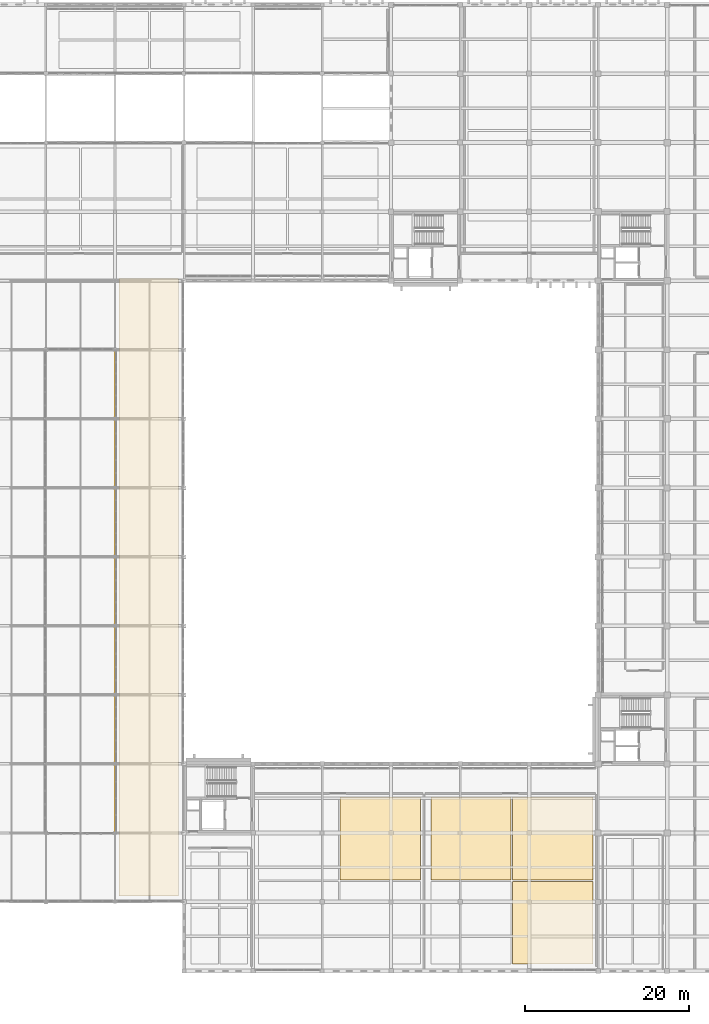
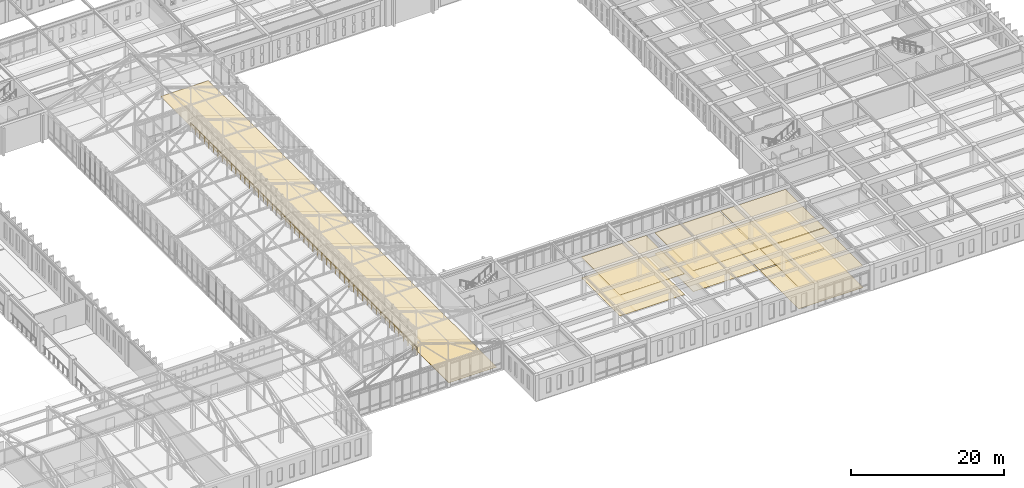
# One storey, part 184 of 192: 9 coverings, 1 railing.
"""IFC4 building model written with IfcOpenShell, lengths in metres."""

import ifcopenshell
import ifcopenshell.guid

model = None  # the IFC model being written
_history = None  # IfcOwnerHistory: only IFC2X3 demands one
_inside = {}  # id of a spatial element -> (the spatial element, [elements in it])
_under = {}  # id of a project, library or spatial element -> (it, [spatial elements below it])
_declared = {}  # id of a project -> (the project, [libraries it declares])
_typed = {}  # id of a type object -> (the type object, [elements of that type])
_made_of = {}  # id of a material, layer set ... -> (it, [elements and type objects made of it])


def new_model(schema):
    """Start an empty IFC model of exactly this schema.

    Asked for "IFC4X3", IfcOpenShell would pick the latest addendum, in which some entities
    have other attributes; the version numbers below select the first issue.
    IFC2X3 requires an IfcOwnerHistory on every rooted entity: one is made here for all.
    """
    global model, _history
    if schema == "IFC4X3":
        model = ifcopenshell.file(schema_version=(4, 3, 0, 0))
    else:
        model = ifcopenshell.file(schema=schema)
    _inside.clear()
    _under.clear()
    _declared.clear()
    _typed.clear()
    _made_of.clear()
    _history = None
    if model.schema == "IFC2X3":
        org = make("IfcOrganization", Name="unknown")
        user = make(
            "IfcPersonAndOrganization",
            ThePerson=make("IfcPerson", FamilyName="unknown"),
            TheOrganization=org,
        )
        app = make(
            "IfcApplication",
            ApplicationDeveloper=org,
            Version="unknown",
            ApplicationFullName="unknown",
            ApplicationIdentifier="unknown",
        )
        _history = make(
            "IfcOwnerHistory",
            OwningUser=user,
            OwningApplication=app,
            ChangeAction="ADDED",
            CreationDate=0,
        )
    return model


def make(cls, **values):
    """One entity of the class cls with the attributes given. An attribute that is None is left unset."""
    return model.create_entity(
        cls, **{name: value for name, value in values.items() if value is not None}
    )


def rooted(cls, **values):
    """An entity with a GlobalId (a new one), such as an element, a storey or a relation."""
    return make(cls, GlobalId=ifcopenshell.guid.new(), OwnerHistory=_history, **values)


def si_unit(unit_type, name, prefix=None):
    """IfcSIUnit, for example si_unit("LENGTHUNIT", "METRE", prefix="MILLI")."""
    return make("IfcSIUnit", UnitType=unit_type, Prefix=prefix, Name=name)


def assignment(units):
    """IfcUnitAssignment: the units of a project."""
    return None if units is None else make("IfcUnitAssignment", Units=units)


def point(xyz):
    """IfcCartesianPoint."""
    return None if xyz is None else make("IfcCartesianPoint", Coordinates=xyz)


def direction(xyz):
    """IfcDirection."""
    return None if xyz is None else make("IfcDirection", DirectionRatios=xyz)


def frame(location, z_axis=None, x_axis=None):
    """IfcAxis2Placement3D, a coordinate frame: its origin and axes. An axis left out is left unset."""
    return make(
        "IfcAxis2Placement3D",
        Location=point(location),
        Axis=direction(z_axis),
        RefDirection=direction(x_axis),
    )


def frame_2d(location, x_axis=None):
    """IfcAxis2Placement2D, a coordinate frame in the plane: its origin and x axis."""
    return make(
        "IfcAxis2Placement2D", Location=point(location), RefDirection=direction(x_axis)
    )


def origin():
    """The frame at (0, 0, 0) with its axes left unset."""
    return frame((0.0, 0.0, 0.0))


def origin_2d():
    """The frame at (0, 0) in the plane with its x axis left unset."""
    return frame_2d((0.0, 0.0))


def place(relative_to, where):
    """IfcLocalPlacement: puts the frame where relative to a parent placement (None: the world)."""
    return make(
        "IfcLocalPlacement", PlacementRelTo=relative_to, RelativePlacement=where
    )


def context(
    kind, dimensions, precision=None, world=None, true_north=None, identifier=None
):
    """IfcGeometricRepresentationContext, for example the 3D "Model" context."""
    return make(
        "IfcGeometricRepresentationContext",
        ContextIdentifier=identifier,
        ContextType=kind,
        CoordinateSpaceDimension=dimensions,
        Precision=precision,
        WorldCoordinateSystem=world,
        TrueNorth=true_north,
    )


def subcontext(parent, identifier, kind, view, scale=None):
    """IfcGeometricRepresentationSubContext, for example "Body" below "Model"."""
    return make(
        "IfcGeometricRepresentationSubContext",
        ContextIdentifier=identifier,
        ContextType=kind,
        ParentContext=parent,
        TargetScale=scale,
        TargetView=view,
    )


def project(units=None, contexts=None):
    """IfcProject with its units and contexts."""
    return rooted(
        "IfcProject",
        Name="project",
        RepresentationContexts=contexts,
        UnitsInContext=assignment(units),
    )


def spatial(cls, under=None, at=None, **own):
    """A site, building, storey or space (cls), placed at a placement, below another one or the project."""
    s = rooted(cls, ObjectPlacement=at, **own)
    if under is not None:
        _under.setdefault(under.id(), (under, []))[1].append(s)
    return s


def profile(cls, at=None, kind="AREA", **sizes):
    """A parametric profile (cls). Its sizes go by their IFC names, for example OverallWidth=200.0."""
    return make(cls, ProfileType=kind, Position=at, **sizes)


def rectangle(**sizes):
    """IfcRectangleProfileDef."""
    return profile("IfcRectangleProfileDef", **sizes)


def circle(**sizes):
    """IfcCircleProfileDef."""
    return profile("IfcCircleProfileDef", **sizes)


def extrude(swept, where, along, depth):
    """IfcExtrudedAreaSolid: the profile swept, set in the frame where, extruded along a direction by depth."""
    return make(
        "IfcExtrudedAreaSolid",
        SweptArea=swept,
        Position=where,
        ExtrudedDirection=direction(along),
        Depth=depth,
    )


def shape(context_of_items, identifier, shape_type, items):
    """IfcShapeRepresentation: the items that make up one representation, for example the "Body"."""
    return make(
        "IfcShapeRepresentation",
        ContextOfItems=context_of_items,
        RepresentationIdentifier=identifier,
        RepresentationType=shape_type,
        Items=items,
    )


def material(Name=None, Category=None):
    """IfcMaterial."""
    return make("IfcMaterial", Name=Name, Category=Category)


def layer(
    of_material, thickness, ventilated=None, Name=None, Category=None, Priority=None
):
    """IfcMaterialLayer: one layer of a wall or slab, of a material (None: an air gap)."""
    return make(
        "IfcMaterialLayer",
        Material=of_material,
        LayerThickness=thickness,
        IsVentilated=ventilated,
        Name=Name,
        Category=Category,
        Priority=Priority,
    )


def layer_set(layers, Name=None):
    """IfcMaterialLayerSet."""
    return make("IfcMaterialLayerSet", MaterialLayers=layers, LayerSetName=Name)


def made_of(thing, what):
    """Note that an element or type object is made of a material, layer set ...; save() writes the relation."""
    if what is not None:
        _made_of.setdefault(what.id(), (what, []))[1].append(thing)
    return thing


def type_object(cls, material=None, **own):
    """A type object (cls), such as IfcWallType, which elements share."""
    return made_of(rooted(cls, **own), material)


def element(
    cls,
    number,
    at=None,
    inside=None,
    cuts=None,
    type_object=None,
    material=None,
    context=None,
    identifier="Body",
    shape_type=None,
    held_by="IfcProductDefinitionShape",
    body=None,
    shapes=None,
    **own,
):
    """One element of the class cls, such as IfcWall. Its Tag is "e" and its number.

    at: its placement. inside: the storey or other place that contains it. cuts: it is an
    opening in that element (IfcRelVoidsElement). A single representation is given by context,
    identifier, shape_type and body (its items); several are given by shapes. held_by: the class
    of the entity that holds the representations. save() writes the other relations.
    """
    e = rooted(cls, Tag="e%d" % number, ObjectPlacement=at, **own)
    if body is not None:
        shapes = [shape(context, identifier, shape_type, body)]
    if shapes is not None:
        e.Representation = make(held_by, Representations=shapes)
    if inside is not None:
        _inside.setdefault(inside.id(), (inside, []))[1].append(e)
    if cuts is not None:
        rooted(
            "IfcRelVoidsElement", RelatingBuildingElement=cuts, RelatedOpeningElement=e
        )
    if type_object is not None:
        _typed.setdefault(type_object.id(), (type_object, []))[1].append(e)
    return made_of(e, material)


def aggregate(whole, parts):
    """IfcRelAggregates: a whole, such as a stair, and the parts it consists of."""
    return rooted("IfcRelAggregates", RelatingObject=whole, RelatedObjects=parts)


def save(model, path):
    """Write the relations noted so far, then the file.

    IfcRelAggregates (storeys below a building ...), IfcRelContainedInSpatialStructure (elements
    in a storey), IfcRelDefinesByType, IfcRelAssociatesMaterial and IfcRelDeclares: one each for
    every whole, place, type object, material and project.
    """
    for whole, parts in _under.values():
        aggregate(whole, parts)
    for where, things in _inside.values():
        rooted(
            "IfcRelContainedInSpatialStructure",
            RelatedElements=things,
            RelatingStructure=where,
        )
    for kind, things in _typed.values():
        rooted("IfcRelDefinesByType", RelatedObjects=things, RelatingType=kind)
    for what, things in _made_of.values():
        rooted("IfcRelAssociatesMaterial", RelatedObjects=things, RelatingMaterial=what)
    for by, libraries in _declared.values():
        rooted("IfcRelDeclares", RelatingContext=by, RelatedDefinitions=libraries)
    model.write(path)


model = new_model("IFC4")

# Units and contexts
model_context = context("Model", 3, precision=1e-05, world=origin(), true_north=direction((0.0, 1.0)))
body_context = subcontext(model_context, "Body", "Model", "MODEL_VIEW")
ifc_project = project(units=[si_unit("LENGTHUNIT", "METRE"), si_unit("AREAUNIT", "SQUARE_METRE"), si_unit("VOLUMEUNIT", "CUBIC_METRE"), si_unit("PLANEANGLEUNIT", "RADIAN"), si_unit("MASSUNIT", "GRAM", prefix="KILO")], contexts=[model_context])

# Site, building, storey
site_placement = place(None, origin())
site = spatial("IfcSite", under=ifc_project, at=site_placement, CompositionType="ELEMENT")
building_placement = place(site_placement, origin())
building = spatial("IfcBuilding", under=site, at=building_placement, Name="Kveldsbrygga Polytechnic", CompositionType="ELEMENT")
storey_placement = place(building_placement, frame((0.0, 0.0, 5.43994140625)))
storey = spatial("IfcBuildingStorey", under=building, at=storey_placement, Name="L01", CompositionType="ELEMENT", Elevation=5.43994140625)

# Coverings
ifc_material_1 = material(Name="Acoustic mineral baffle ceiling")
ifc_layer_1 = layer(ifc_material_1, 0.030029296875)
ifc_layer_set_1 = layer_set([ifc_layer_1], Name="Acoustic mineral baffle ceiling")
covering_type_1 = type_object("IfcCoveringType", Name="COV-CEIL-AC30", PredefinedType="CEILING", material=ifc_layer_set_1)
covering_1_placement = place(storey_placement, frame((99.47509765625, 16.125, 3.31005859375), z_axis=(0.0, 0.0, 1.0), x_axis=(1.0, 0.0, 0.0)))
element("IfcCovering", 1, at=covering_1_placement, inside=storey, type_object=covering_type_1, Name="Acoustic Ceiling SP-L01-UNION1-EN", PredefinedType="CEILING", context=body_context, shape_type="SweptSolid", body=[
    extrude(rectangle(XDim=9.75, YDim=10.050048828125, at=origin_2d()), origin(), (0.0, 0.0, 1.0), 0.030029296875),
])
ifc_material_2 = material(Name="Acoustic oak timber slat ceiling", Category="wood")
ifc_layer_2 = layer(ifc_material_2, 0.0400390625)
ifc_layer_set_2 = layer_set([ifc_layer_2], Name="Acoustic oak timber slat ceiling")
covering_type_2 = type_object("IfcCoveringType", Name="COV-CEIL-WD40", PredefinedType="CEILING", material=ifc_layer_set_2)
for number, where, z_axis, x_axis, name in (
    (2, (110.52490234375, 16.125, 3.300048828125), (0.0, 0.0, 1.0), (1.0, 0.0, 0.0), "Acoustic Ceiling SP-L01-UNION2-WN"),
    (3, (120.47509765625, 5.875, 3.400146484375), (0.0, 0.0, 1.0), (1.0, 0.0, 0.0), "Acoustic Ceiling SP-L01-UNION2-ES"),
    (4, (120.47509765625, 16.125, 3.300048828125), (0.0, 0.0, 1.0), (1.0, 0.0, 0.0), "Acoustic Ceiling SP-L01-UNION2-EN"),
):
    element("IfcCovering", number, at=place(storey_placement, frame(where, z_axis=z_axis, x_axis=x_axis)), inside=storey, type_object=covering_type_2, Name=name, PredefinedType="CEILING", context=body_context, shape_type="SweptSolid", body=[
        extrude(rectangle(XDim=9.75, YDim=10.050048828125, at=origin_2d()), origin(), (0.0, 0.0, 1.0), 0.0400390625),
    ])
ifc_material_3 = material(Name="Iddefjord granite honed paving", Category="masonry")
ifc_layer_3 = layer(ifc_material_3, 0.02490234375)
ifc_layer_set_3 = layer_set([ifc_layer_3], Name="Iddefjord granite honed paving")
covering_type_3 = type_object("IfcCoveringType", Name="COV-FLR-GRN25", PredefinedType="FLOORING", material=ifc_layer_set_3)
covering_2_placement = place(storey_placement, frame((71.300048828125, 46.699951171875, -0.00048828125), z_axis=(0.0, 0.0, 1.0), x_axis=(1.0, 0.0, 0.0)))
element("IfcCovering", 5, at=covering_2_placement, inside=storey, type_object=covering_type_3, Name="Concourse Granite Flooring SP-L01-CONCE", PredefinedType="FLOORING", context=body_context, shape_type="SweptSolid", body=[
    extrude(rectangle(XDim=7.199951171875, YDim=75.199951171875, at=origin_2d()), origin(), (0.0, 0.0, 1.0), 0.02490234375),
])
ifc_material_4 = material(Name="Acoustic oak timber flooring", Category="wood")
ifc_layer_4 = layer(ifc_material_4, 0.02197265625)
ifc_layer_set_4 = layer_set([ifc_layer_4], Name="Acoustic oak timber flooring")
covering_type_4 = type_object("IfcCoveringType", Name="COV-FLR-OAK22", PredefinedType="FLOORING", material=ifc_layer_set_4)
for number, where, z_axis, x_axis, name in (
    (6, (99.47509765625, 16.125, 0.0), (0.0, 0.0, 1.0), (1.0, 0.0, 0.0), "Room Flooring SP-L01-UNION1-EN"),
    (7, (110.52490234375, 16.125, 0.0), (0.0, 0.0, 1.0), (1.0, 0.0, 0.0), "Room Flooring SP-L01-UNION2-WN"),
    (8, (120.47509765625, 5.875, 0.0), (0.0, 0.0, 1.0), (1.0, 0.0, 0.0), "Room Flooring SP-L01-UNION2-ES"),
    (9, (120.47509765625, 16.125, 0.0), (0.0, 0.0, 1.0), (1.0, 0.0, 0.0), "Room Flooring SP-L01-UNION2-EN"),
):
    element("IfcCovering", number, at=place(storey_placement, frame(where, z_axis=z_axis, x_axis=x_axis)), inside=storey, type_object=covering_type_4, Name=name, PredefinedType="FLOORING", context=body_context, shape_type="SweptSolid", body=[
        extrude(rectangle(XDim=9.75, YDim=10.050048828125, at=origin_2d()), origin(), (0.0, 0.0, 1.0), 0.02197265625),
    ])

# Railing
ifc_material_5 = material(Name="Steel S355", Category="steel")
railing_type = type_object("IfcRailingType", Name="RL-VOID-GRD", PredefinedType="GUARDRAIL", material=ifc_material_5)
railing_placement = place(storey_placement, frame((67.280029296875, 16.719970703125, 0.0)))
element("IfcRailing", 10, at=railing_placement, inside=storey, type_object=railing_type, Name="Winter Garden Atrium Guard GRD-L01-ATRIUM-E", PredefinedType="GUARDRAIL", context=body_context, shape_type="SweptSolid", body=[
    extrude(circle(Radius=0.02392578125, at=origin_2d()), frame((0.0, 0.0, 1.17578125), z_axis=(0.0, 1.0, 0.0), x_axis=(-1.0, 0.0, 0.0)), (0.0, 0.0, 1.0), 58.9599609375),
    extrude(circle(Radius=0.02099609375, at=origin_2d()), origin(), (0.0, 0.0, 1.0), 1.14794921875),
    extrude(circle(Radius=0.02099609375, at=origin_2d()), frame((0.0, 1.17919921875, 0.0)), (0.0, 0.0, 1.0), 1.14794921875),
    extrude(circle(Radius=0.02099609375, at=origin_2d()), frame((0.0, 2.3583984375, 0.0)), (0.0, 0.0, 1.0), 1.14794921875),
    extrude(circle(Radius=0.02099609375, at=origin_2d()), frame((0.0, 3.53759765625, 0.0)), (0.0, 0.0, 1.0), 1.14794921875),
    extrude(circle(Radius=0.02099609375, at=origin_2d()), frame((0.0, 4.716796875, 0.0)), (0.0, 0.0, 1.0), 1.14794921875),
    extrude(circle(Radius=0.02099609375, at=origin_2d()), frame((0.0, 5.89599609375, 0.0)), (0.0, 0.0, 1.0), 1.14794921875),
    extrude(circle(Radius=0.02099609375, at=origin_2d()), frame((0.0, 7.0751953125, 0.0)), (0.0, 0.0, 1.0), 1.14794921875),
    extrude(circle(Radius=0.02099609375, at=origin_2d()), frame((0.0, 8.25439453125, 0.0)), (0.0, 0.0, 1.0), 1.14794921875),
    extrude(circle(Radius=0.02099609375, at=origin_2d()), frame((0.0, 9.43359375, 0.0)), (0.0, 0.0, 1.0), 1.14794921875),
    extrude(circle(Radius=0.02099609375, at=origin_2d()), frame((0.0, 10.61279296875, 0.0)), (0.0, 0.0, 1.0), 1.14794921875),
    extrude(circle(Radius=0.02099609375, at=origin_2d()), frame((0.0, 11.7919921875, 0.0)), (0.0, 0.0, 1.0), 1.14794921875),
    extrude(circle(Radius=0.02099609375, at=origin_2d()), frame((0.0, 12.97119140625, 0.0)), (0.0, 0.0, 1.0), 1.14794921875),
    extrude(circle(Radius=0.02099609375, at=origin_2d()), frame((0.0, 14.150390625, 0.0)), (0.0, 0.0, 1.0), 1.14794921875),
    extrude(circle(Radius=0.02099609375, at=origin_2d()), frame((0.0, 15.32958984375, 0.0)), (0.0, 0.0, 1.0), 1.14794921875),
    extrude(circle(Radius=0.02099609375, at=origin_2d()), frame((0.0, 16.5087890625, 0.0)), (0.0, 0.0, 1.0), 1.14794921875),
    extrude(circle(Radius=0.02099609375, at=origin_2d()), frame((0.0, 17.68798828125, 0.0)), (0.0, 0.0, 1.0), 1.14794921875),
    extrude(circle(Radius=0.02099609375, at=origin_2d()), frame((0.0, 18.8671875, 0.0)), (0.0, 0.0, 1.0), 1.14794921875),
    extrude(circle(Radius=0.02099609375, at=origin_2d()), frame((0.0, 20.04638671875, 0.0)), (0.0, 0.0, 1.0), 1.14794921875),
    extrude(circle(Radius=0.02099609375, at=origin_2d()), frame((0.0, 21.2255859375, 0.0)), (0.0, 0.0, 1.0), 1.14794921875),
    extrude(circle(Radius=0.02099609375, at=origin_2d()), frame((0.0, 22.40478515625, 0.0)), (0.0, 0.0, 1.0), 1.14794921875),
    extrude(circle(Radius=0.02099609375, at=origin_2d()), frame((0.0, 23.583984375, 0.0)), (0.0, 0.0, 1.0), 1.14794921875),
    extrude(circle(Radius=0.02099609375, at=origin_2d()), frame((0.0, 24.76318359375, 0.0)), (0.0, 0.0, 1.0), 1.14794921875),
    extrude(circle(Radius=0.02099609375, at=origin_2d()), frame((0.0, 25.9423828125, 0.0)), (0.0, 0.0, 1.0), 1.14794921875),
    extrude(circle(Radius=0.02099609375, at=origin_2d()), frame((0.0, 27.12158203125, 0.0)), (0.0, 0.0, 1.0), 1.14794921875),
    extrude(circle(Radius=0.02099609375, at=origin_2d()), frame((0.0, 28.30078125, 0.0)), (0.0, 0.0, 1.0), 1.14794921875),
    extrude(circle(Radius=0.02099609375, at=origin_2d()), frame((0.0, 29.47998046875, 0.0)), (0.0, 0.0, 1.0), 1.14794921875),
    extrude(circle(Radius=0.02099609375, at=origin_2d()), frame((0.0, 30.6591796875, 0.0)), (0.0, 0.0, 1.0), 1.14794921875),
    extrude(circle(Radius=0.02099609375, at=origin_2d()), frame((0.0, 31.83837890625, 0.0)), (0.0, 0.0, 1.0), 1.14794921875),
    extrude(circle(Radius=0.02099609375, at=origin_2d()), frame((0.0, 33.017578125, 0.0)), (0.0, 0.0, 1.0), 1.14794921875),
    extrude(circle(Radius=0.02099609375, at=origin_2d()), frame((0.0, 34.19677734375, 0.0)), (0.0, 0.0, 1.0), 1.14794921875),
    extrude(circle(Radius=0.02099609375, at=origin_2d()), frame((0.0, 35.3759765625, 0.0)), (0.0, 0.0, 1.0), 1.14794921875),
    extrude(circle(Radius=0.02099609375, at=origin_2d()), frame((0.0, 36.55517578125, 0.0)), (0.0, 0.0, 1.0), 1.14794921875),
    extrude(circle(Radius=0.02099609375, at=origin_2d()), frame((0.0, 37.734375, 0.0)), (0.0, 0.0, 1.0), 1.14794921875),
    extrude(circle(Radius=0.02099609375, at=origin_2d()), frame((0.0, 38.91357421875, 0.0)), (0.0, 0.0, 1.0), 1.14794921875),
    extrude(circle(Radius=0.02099609375, at=origin_2d()), frame((0.0, 40.0927734375, 0.0)), (0.0, 0.0, 1.0), 1.14794921875),
    extrude(circle(Radius=0.02099609375, at=origin_2d()), frame((0.0, 41.27197265625, 0.0)), (0.0, 0.0, 1.0), 1.14794921875),
    extrude(circle(Radius=0.02099609375, at=origin_2d()), frame((0.0, 42.451171875, 0.0)), (0.0, 0.0, 1.0), 1.14794921875),
    extrude(circle(Radius=0.02099609375, at=origin_2d()), frame((0.0, 43.63037109375, 0.0)), (0.0, 0.0, 1.0), 1.14794921875),
    extrude(circle(Radius=0.02099609375, at=origin_2d()), frame((0.0, 44.8095703125, 0.0)), (0.0, 0.0, 1.0), 1.14794921875),
    extrude(circle(Radius=0.02099609375, at=origin_2d()), frame((0.0, 45.98876953125, 0.0)), (0.0, 0.0, 1.0), 1.14794921875),
    extrude(circle(Radius=0.02099609375, at=origin_2d()), frame((0.0, 47.16796875, 0.0)), (0.0, 0.0, 1.0), 1.14794921875),
    extrude(circle(Radius=0.02099609375, at=origin_2d()), frame((0.0, 48.34716796875, 0.0)), (0.0, 0.0, 1.0), 1.14794921875),
    extrude(circle(Radius=0.02099609375, at=origin_2d()), frame((0.0, 49.5263671875, 0.0)), (0.0, 0.0, 1.0), 1.14794921875),
    extrude(circle(Radius=0.02099609375, at=origin_2d()), frame((0.0, 50.70556640625, 0.0)), (0.0, 0.0, 1.0), 1.14794921875),
    extrude(circle(Radius=0.02099609375, at=origin_2d()), frame((0.0, 51.884765625, 0.0)), (0.0, 0.0, 1.0), 1.14794921875),
    extrude(circle(Radius=0.02099609375, at=origin_2d()), frame((0.0, 53.06396484375, 0.0)), (0.0, 0.0, 1.0), 1.14794921875),
    extrude(circle(Radius=0.02099609375, at=origin_2d()), frame((0.0, 54.2431640625, 0.0)), (0.0, 0.0, 1.0), 1.14794921875),
    extrude(circle(Radius=0.02099609375, at=origin_2d()), frame((0.0, 55.42236328125, 0.0)), (0.0, 0.0, 1.0), 1.14794921875),
    extrude(circle(Radius=0.02099609375, at=origin_2d()), frame((0.0, 56.6015625, 0.0)), (0.0, 0.0, 1.0), 1.14794921875),
    extrude(circle(Radius=0.02099609375, at=origin_2d()), frame((0.0, 57.78076171875, 0.0)), (0.0, 0.0, 1.0), 1.14794921875),
    extrude(circle(Radius=0.02099609375, at=origin_2d()), frame((0.0, 58.9599609375, 0.0)), (0.0, 0.0, 1.0), 1.14794921875),
])

save(model, "model.ifc")
